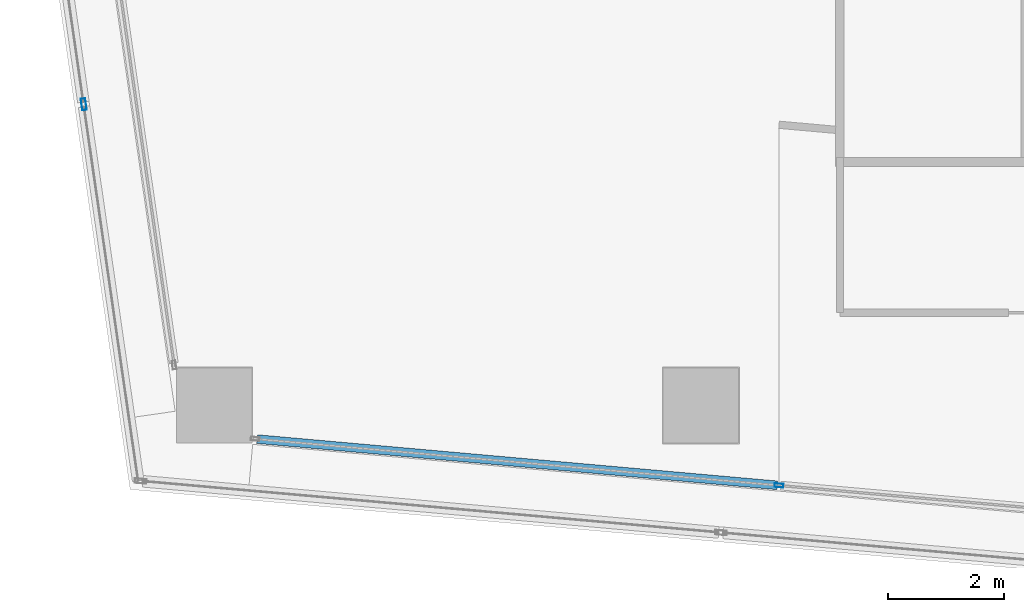
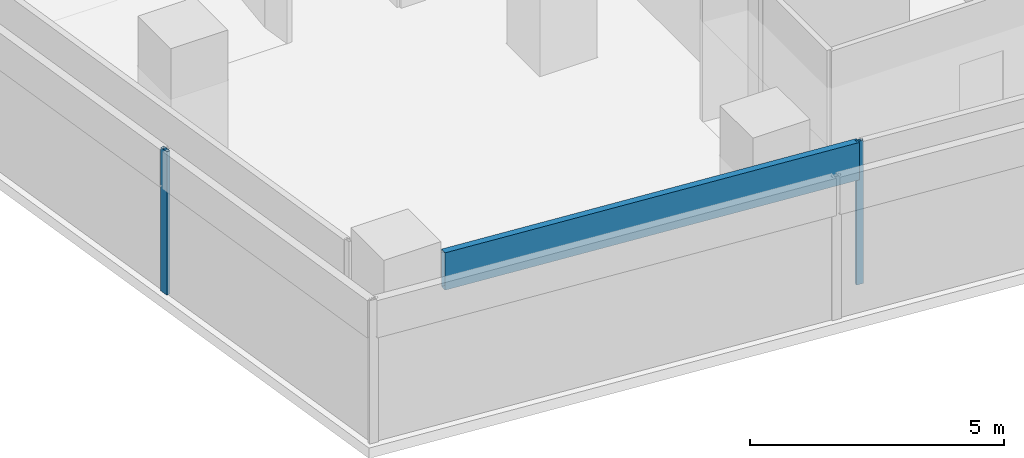
# One storey, part 3 of 30: 3 members, 2 elements without a shape of their own.
"""IFC4 building model written with IfcOpenShell, lengths in metres."""

from ifc_helpers import new_model, si_unit, direction, frame, origin, origin_2d, place, context, subcontext, project, spatial, hollow_rectangle, extrude, material, material_profile, profile_set, type_object, element, aggregate, save


model = new_model("IFC4")

# Units and contexts
model_context = context("Model", 3, precision=1e-05, world=origin(), true_north=direction((0.0, 1.0)))
body_context = subcontext(model_context, "Body", "Model", "MODEL_VIEW")
ifc_project = project(units=[si_unit("LENGTHUNIT", "METRE"), si_unit("AREAUNIT", "SQUARE_METRE"), si_unit("VOLUMEUNIT", "CUBIC_METRE"), si_unit("PLANEANGLEUNIT", "RADIAN"), si_unit("MASSUNIT", "GRAM", prefix="KILO")], contexts=[model_context])

# Site, building, storey
site_placement = place(None, origin())
site = spatial("IfcSite", under=ifc_project, at=site_placement, CompositionType="ELEMENT")
building_placement = place(site_placement, origin())
building = spatial("IfcBuilding", under=site, at=building_placement, Name="Rekha Terrace Tower", CompositionType="ELEMENT")
storey_placement = place(building_placement, frame((0.0, 0.0, 287.60009765625)))
storey = spatial("IfcBuildingStorey", under=building, at=storey_placement, Name="L73", CompositionType="ELEMENT", Elevation=287.60009765625)

# Curtain wall, members
ifc_material_1 = material(Name="Aluminium framing", Category="aluminium")
curtain_wall_type_1 = type_object("IfcCurtainWallType", Name="CW1 double skin inner glazing", PredefinedType="USERDEFINED", material=ifc_material_1)
curtain_wall_1_placement = place(storey_placement, origin())
curtain_wall_1 = element("IfcCurtainWall", 1, at=curtain_wall_1_placement, inside=storey, type_object=curtain_wall_type_1, Name="CW1 double skin inner glazing", ObjectType="DOUBLE SKIN INNER GLAZING", PredefinedType="USERDEFINED")
ifc_material_2 = material(Name="Aluminium mullion section", Category="aluminium")
ifc_material_profile_1 = material_profile(ifc_material_2, hollow_rectangle(XDim=0.06494140625, YDim=0.14990234375, WallThickness=0.00390625, at=origin_2d()), Name="AL RHS 65x150")
ifc_profile_set_1 = profile_set([ifc_material_profile_1], Name="Aluminium mullion section")
member_type_1 = type_object("IfcMemberType", Name="CW1 mullion RHS 65 x 150", PredefinedType="MULLION", material=ifc_profile_set_1)
member_1_placement = place(storey_placement, frame((18.1494140625, 15.4189453125, 0.0), z_axis=(0.0, 0.0, 1.0), x_axis=(0.088522441405, 0.996074182663, 0.0)))
member_1 = element("IfcMember", 2, at=member_1_placement, type_object=member_type_1, Name="CW1 mullion 2", PredefinedType="MULLION", context=body_context, shape_type="SweptSolid", body=[
    extrude(hollow_rectangle(XDim=0.06494140625, YDim=0.14990234375, WallThickness=0.00390625, at=origin_2d()), origin(), (0.0, 0.0, 1.0), 3.449951171875),
])
ifc_material_3 = material(Name="Insulated aluminium spandrel box", Category="aluminium")
ifc_material_profile_2 = material_profile(ifc_material_3, hollow_rectangle(XDim=0.14990234375, YDim=0.89990234375, WallThickness=0.0029296875, at=origin_2d()), Name="AL SPANDREL BOX 150x900")
ifc_profile_set_2 = profile_set([ifc_material_profile_2], Name="Insulated aluminium spandrel box")
member_type_2 = type_object("IfcMemberType", Name="CW1 spandrel transom 150 x 900", PredefinedType="USERDEFINED", material=ifc_profile_set_2)
member_2_placement = place(storey_placement, frame((9.1416015625, 16.219482421875, 3.0), z_axis=(0.996072428294, -0.088542179732, 0.0), x_axis=(0.088542179732, 0.996072428294, 0.0)))
member_2 = element("IfcMember", 3, at=member_2_placement, type_object=member_type_2, Name="CW1 spandrel transom 1", ObjectType="TRANSOM", PredefinedType="USERDEFINED", context=body_context, shape_type="SweptSolid", body=[
    extrude(hollow_rectangle(XDim=0.14990234375, YDim=0.89990234375, WallThickness=0.0029296875, at=origin_2d()), origin(), (0.0, 0.0, 1.0), 9.010986328125),
])
aggregate(curtain_wall_1, [member_1, member_2])

# Curtain wall, member
curtain_wall_type_2 = type_object("IfcCurtainWallType", Name="CW2 double skin outer glazing", PredefinedType="USERDEFINED", material=ifc_material_1)
curtain_wall_2_placement = place(storey_placement, origin())
curtain_wall_2 = element("IfcCurtainWall", 4, at=curtain_wall_2_placement, inside=storey, type_object=curtain_wall_type_2, Name="CW2 double skin outer glazing", ObjectType="DOUBLE SKIN OUTER GLAZING", PredefinedType="USERDEFINED")
ifc_material_profile_3 = material_profile(ifc_material_2, hollow_rectangle(XDim=0.080078125, YDim=0.199951171875, WallThickness=0.00390625, at=origin_2d()), Name="AL RHS 80x200")
ifc_profile_set_3 = profile_set([ifc_material_profile_3], Name="Aluminium mullion section")
member_type_3 = type_object("IfcMemberType", Name="CW2 mullion RHS 80 x 200", PredefinedType="MULLION", material=ifc_profile_set_3)
member_3_placement = place(storey_placement, frame((6.150634765625, 21.99658203125, 0.0), z_axis=(0.0, 0.0, 1.0), x_axis=(0.989707031389, 0.143108322678, 0.0)))
member_3 = element("IfcMember", 5, at=member_3_placement, type_object=member_type_3, Name="CW2 mullion 2", PredefinedType="MULLION", context=body_context, shape_type="SweptSolid", body=[
    extrude(hollow_rectangle(XDim=0.080078125, YDim=0.199951171875, WallThickness=0.00390625, at=origin_2d()), origin(), (0.0, 0.0, 1.0), 3.449951171875),
])
aggregate(curtain_wall_2, [member_3])

save(model, "model.ifc")
